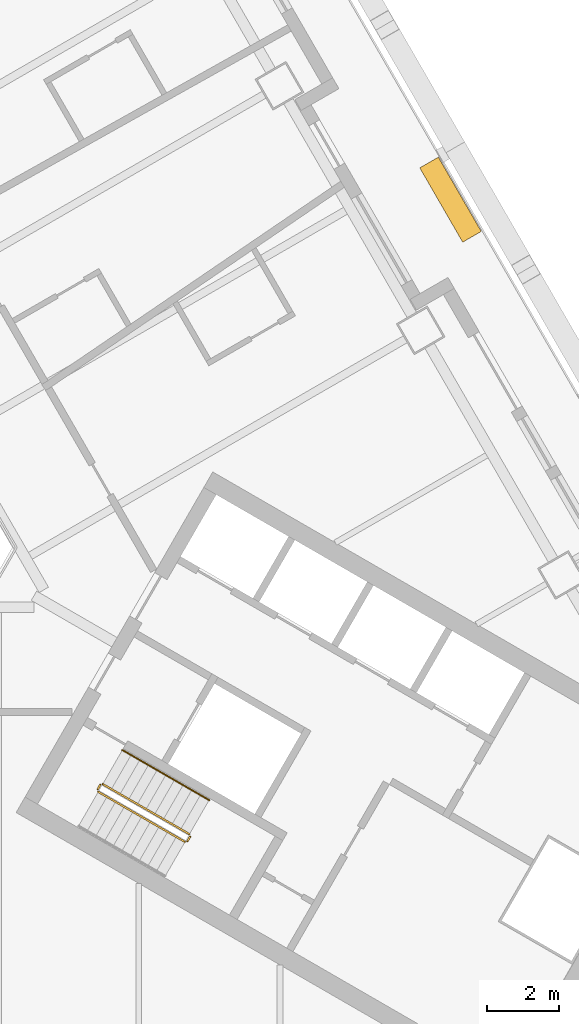
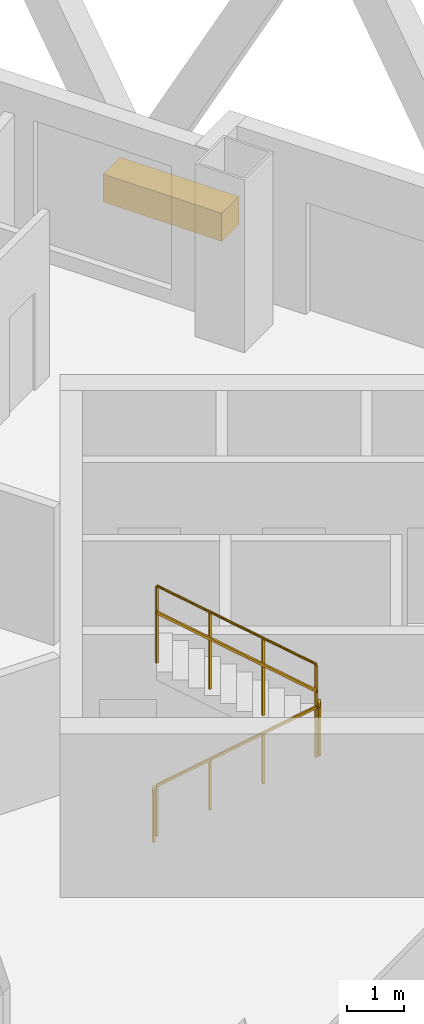
# One storey, part 12 of 14: 5 railings, 1 covering.
"""IFC4 building model written with IfcOpenShell, lengths in metres."""

import ifcopenshell
import ifcopenshell.guid

model = None  # the IFC model being written
_history = None  # IfcOwnerHistory: only IFC2X3 demands one
_inside = {}  # id of a spatial element -> (the spatial element, [elements in it])
_under = {}  # id of a project, library or spatial element -> (it, [spatial elements below it])
_declared = {}  # id of a project -> (the project, [libraries it declares])
_typed = {}  # id of a type object -> (the type object, [elements of that type])
_made_of = {}  # id of a material, layer set ... -> (it, [elements and type objects made of it])


def new_model(schema):
    """Start an empty IFC model of exactly this schema.

    Asked for "IFC4X3", IfcOpenShell would pick the latest addendum, in which some entities
    have other attributes; the version numbers below select the first issue.
    IFC2X3 requires an IfcOwnerHistory on every rooted entity: one is made here for all.
    """
    global model, _history
    if schema == "IFC4X3":
        model = ifcopenshell.file(schema_version=(4, 3, 0, 0))
    else:
        model = ifcopenshell.file(schema=schema)
    _inside.clear()
    _under.clear()
    _declared.clear()
    _typed.clear()
    _made_of.clear()
    _history = None
    if model.schema == "IFC2X3":
        org = make("IfcOrganization", Name="unknown")
        user = make(
            "IfcPersonAndOrganization",
            ThePerson=make("IfcPerson", FamilyName="unknown"),
            TheOrganization=org,
        )
        app = make(
            "IfcApplication",
            ApplicationDeveloper=org,
            Version="unknown",
            ApplicationFullName="unknown",
            ApplicationIdentifier="unknown",
        )
        _history = make(
            "IfcOwnerHistory",
            OwningUser=user,
            OwningApplication=app,
            ChangeAction="ADDED",
            CreationDate=0,
        )
    return model


def make(cls, **values):
    """One entity of the class cls with the attributes given. An attribute that is None is left unset."""
    return model.create_entity(
        cls, **{name: value for name, value in values.items() if value is not None}
    )


def rooted(cls, **values):
    """An entity with a GlobalId (a new one), such as an element, a storey or a relation."""
    return make(cls, GlobalId=ifcopenshell.guid.new(), OwnerHistory=_history, **values)


def si_unit(unit_type, name, prefix=None):
    """IfcSIUnit, for example si_unit("LENGTHUNIT", "METRE", prefix="MILLI")."""
    return make("IfcSIUnit", UnitType=unit_type, Prefix=prefix, Name=name)


def assignment(units):
    """IfcUnitAssignment: the units of a project."""
    return None if units is None else make("IfcUnitAssignment", Units=units)


def point(xyz):
    """IfcCartesianPoint."""
    return None if xyz is None else make("IfcCartesianPoint", Coordinates=xyz)


def direction(xyz):
    """IfcDirection."""
    return None if xyz is None else make("IfcDirection", DirectionRatios=xyz)


def frame(location, z_axis=None, x_axis=None):
    """IfcAxis2Placement3D, a coordinate frame: its origin and axes. An axis left out is left unset."""
    return make(
        "IfcAxis2Placement3D",
        Location=point(location),
        Axis=direction(z_axis),
        RefDirection=direction(x_axis),
    )


def frame_2d(location, x_axis=None):
    """IfcAxis2Placement2D, a coordinate frame in the plane: its origin and x axis."""
    return make(
        "IfcAxis2Placement2D", Location=point(location), RefDirection=direction(x_axis)
    )


def origin():
    """The frame at (0, 0, 0) with its axes left unset."""
    return frame((0.0, 0.0, 0.0))


def origin_2d():
    """The frame at (0, 0) in the plane with its x axis left unset."""
    return frame_2d((0.0, 0.0))


def place(relative_to, where):
    """IfcLocalPlacement: puts the frame where relative to a parent placement (None: the world)."""
    return make(
        "IfcLocalPlacement", PlacementRelTo=relative_to, RelativePlacement=where
    )


def context(
    kind, dimensions, precision=None, world=None, true_north=None, identifier=None
):
    """IfcGeometricRepresentationContext, for example the 3D "Model" context."""
    return make(
        "IfcGeometricRepresentationContext",
        ContextIdentifier=identifier,
        ContextType=kind,
        CoordinateSpaceDimension=dimensions,
        Precision=precision,
        WorldCoordinateSystem=world,
        TrueNorth=true_north,
    )


def subcontext(parent, identifier, kind, view, scale=None):
    """IfcGeometricRepresentationSubContext, for example "Body" below "Model"."""
    return make(
        "IfcGeometricRepresentationSubContext",
        ContextIdentifier=identifier,
        ContextType=kind,
        ParentContext=parent,
        TargetScale=scale,
        TargetView=view,
    )


def project(units=None, contexts=None):
    """IfcProject with its units and contexts."""
    return rooted(
        "IfcProject",
        Name="project",
        RepresentationContexts=contexts,
        UnitsInContext=assignment(units),
    )


def spatial(cls, under=None, at=None, **own):
    """A site, building, storey or space (cls), placed at a placement, below another one or the project."""
    s = rooted(cls, ObjectPlacement=at, **own)
    if under is not None:
        _under.setdefault(under.id(), (under, []))[1].append(s)
    return s


def profile(cls, at=None, kind="AREA", **sizes):
    """A parametric profile (cls). Its sizes go by their IFC names, for example OverallWidth=200.0."""
    return make(cls, ProfileType=kind, Position=at, **sizes)


def rectangle(**sizes):
    """IfcRectangleProfileDef."""
    return profile("IfcRectangleProfileDef", **sizes)


def circle(**sizes):
    """IfcCircleProfileDef."""
    return profile("IfcCircleProfileDef", **sizes)


def extrude(swept, where, along, depth):
    """IfcExtrudedAreaSolid: the profile swept, set in the frame where, extruded along a direction by depth."""
    return make(
        "IfcExtrudedAreaSolid",
        SweptArea=swept,
        Position=where,
        ExtrudedDirection=direction(along),
        Depth=depth,
    )


def shape(context_of_items, identifier, shape_type, items):
    """IfcShapeRepresentation: the items that make up one representation, for example the "Body"."""
    return make(
        "IfcShapeRepresentation",
        ContextOfItems=context_of_items,
        RepresentationIdentifier=identifier,
        RepresentationType=shape_type,
        Items=items,
    )


def material(Name=None, Category=None):
    """IfcMaterial."""
    return make("IfcMaterial", Name=Name, Category=Category)


def made_of(thing, what):
    """Note that an element or type object is made of a material, layer set ...; save() writes the relation."""
    if what is not None:
        _made_of.setdefault(what.id(), (what, []))[1].append(thing)
    return thing


def type_object(cls, material=None, **own):
    """A type object (cls), such as IfcWallType, which elements share."""
    return made_of(rooted(cls, **own), material)


def element(
    cls,
    number,
    at=None,
    inside=None,
    cuts=None,
    type_object=None,
    material=None,
    context=None,
    identifier="Body",
    shape_type=None,
    held_by="IfcProductDefinitionShape",
    body=None,
    shapes=None,
    **own,
):
    """One element of the class cls, such as IfcWall. Its Tag is "e" and its number.

    at: its placement. inside: the storey or other place that contains it. cuts: it is an
    opening in that element (IfcRelVoidsElement). A single representation is given by context,
    identifier, shape_type and body (its items); several are given by shapes. held_by: the class
    of the entity that holds the representations. save() writes the other relations.
    """
    e = rooted(cls, Tag="e%d" % number, ObjectPlacement=at, **own)
    if body is not None:
        shapes = [shape(context, identifier, shape_type, body)]
    if shapes is not None:
        e.Representation = make(held_by, Representations=shapes)
    if inside is not None:
        _inside.setdefault(inside.id(), (inside, []))[1].append(e)
    if cuts is not None:
        rooted(
            "IfcRelVoidsElement", RelatingBuildingElement=cuts, RelatedOpeningElement=e
        )
    if type_object is not None:
        _typed.setdefault(type_object.id(), (type_object, []))[1].append(e)
    return made_of(e, material)


def aggregate(whole, parts):
    """IfcRelAggregates: a whole, such as a stair, and the parts it consists of."""
    return rooted("IfcRelAggregates", RelatingObject=whole, RelatedObjects=parts)


def save(model, path):
    """Write the relations noted so far, then the file.

    IfcRelAggregates (storeys below a building ...), IfcRelContainedInSpatialStructure (elements
    in a storey), IfcRelDefinesByType, IfcRelAssociatesMaterial and IfcRelDeclares: one each for
    every whole, place, type object, material and project.
    """
    for whole, parts in _under.values():
        aggregate(whole, parts)
    for where, things in _inside.values():
        rooted(
            "IfcRelContainedInSpatialStructure",
            RelatedElements=things,
            RelatingStructure=where,
        )
    for kind, things in _typed.values():
        rooted("IfcRelDefinesByType", RelatedObjects=things, RelatingType=kind)
    for what, things in _made_of.values():
        rooted("IfcRelAssociatesMaterial", RelatedObjects=things, RelatingMaterial=what)
    for by, libraries in _declared.values():
        rooted("IfcRelDeclares", RelatingContext=by, RelatedDefinitions=libraries)
    model.write(path)


model = new_model("IFC4")

# Units and contexts
model_context = context("Model", 3, precision=1e-05, world=origin(), true_north=direction((0.0, 1.0)))
body_context = subcontext(model_context, "Body", "Model", "MODEL_VIEW")
ifc_project = project(units=[si_unit("LENGTHUNIT", "METRE"), si_unit("AREAUNIT", "SQUARE_METRE"), si_unit("VOLUMEUNIT", "CUBIC_METRE"), si_unit("PLANEANGLEUNIT", "RADIAN"), si_unit("MASSUNIT", "GRAM", prefix="KILO")], contexts=[model_context])

# Site, building, storey
site_placement = place(None, origin())
site = spatial("IfcSite", under=ifc_project, at=site_placement, CompositionType="ELEMENT")
building_placement = place(site_placement, origin())
building = spatial("IfcBuilding", under=site, at=building_placement, Name="Apuvela Tower Hotel", CompositionType="ELEMENT")
storey_placement = place(building_placement, frame((0.0, 0.0, 53.89990234375)))
storey = spatial("IfcBuildingStorey", under=building, at=storey_placement, Name="L10", CompositionType="ELEMENT", Elevation=53.89990234375)

# Railings
ifc_material_1 = material(Name="Steel S275 balustrade", Category="steel")
railing_type_1 = type_object("IfcRailingType", Name="COR-GUARD-1100", PredefinedType="GUARDRAIL", material=ifc_material_1)
railing_1_placement = place(storey_placement, frame((10.718994140625, -10.63427734375, 0.168212890625)))
element("IfcRailing", 1, at=railing_1_placement, inside=storey, type_object=railing_type_1, Name="L10 ST3 stair guard 1", PredefinedType="GUARDRAIL", context=body_context, shape_type="SweptSolid", body=[
    extrude(rectangle(XDim=0.048095703125, YDim=0.048095703125, at=origin_2d()), frame((0.0, 0.0, 1.076171875), z_axis=(0.742390482028, -0.42860119049, 0.514934356695), x_axis=(0.49998411664, 0.866034573852, 0.0)), (0.0, 0.0, 1.0), 3.26611328125),
    extrude(rectangle(XDim=0.0419921875, YDim=0.0419921875, at=origin_2d()), origin(), (0.0, 0.0, 1.0), 1.052001953125),
    extrude(rectangle(XDim=0.0419921875, YDim=0.0419921875, at=origin_2d()), frame((0.808349609375, -0.466552734375, 0.560546875)), (0.0, 0.0, 1.0), 1.052001953125),
    extrude(rectangle(XDim=0.0419921875, YDim=0.0419921875, at=origin_2d()), frame((1.616455078125, -0.933349609375, 1.121337890625)), (0.0, 0.0, 1.0), 1.052001953125),
    extrude(rectangle(XDim=0.0419921875, YDim=0.0419921875, at=origin_2d()), frame((2.4248046875, -1.39990234375, 1.681884765625)), (0.0, 0.0, 1.0), 1.052001953125),
])
railing_2_placement = place(storey_placement, frame((13.212158203125, -12.015869140625, 1.85009765625)))
element("IfcRailing", 2, at=railing_2_placement, inside=storey, type_object=railing_type_1, Name="L10 ST3 stair guard 2", PredefinedType="GUARDRAIL", context=body_context, shape_type="SweptSolid", body=[
    extrude(rectangle(XDim=0.048095703125, YDim=0.048095703125, at=origin_2d()), frame((0.0, 0.0, 1.076171875), z_axis=(0.499816412211, 0.866131372301, 0.0), x_axis=(-0.866131372301, 0.499816412211, 0.0)), (0.0, 0.0, 1.0), 0.14990234375),
    extrude(rectangle(XDim=0.0419921875, YDim=0.0419921875, at=origin_2d()), origin(), (0.0, 0.0, 1.0), 1.052001953125),
    extrude(rectangle(XDim=0.0419921875, YDim=0.0419921875, at=origin_2d()), frame((0.074951171875, 0.1298828125, 0.0)), (0.0, 0.0, 1.0), 1.052001953125),
])
railing_3_placement = place(storey_placement, frame((13.268798828125, -11.817626953125, 2.018310546875)))
element("IfcRailing", 3, at=railing_3_placement, inside=storey, type_object=railing_type_1, Name="L10 ST3 stair guard 3", PredefinedType="GUARDRAIL", context=body_context, shape_type="SweptSolid", body=[
    extrude(rectangle(XDim=0.048095703125, YDim=0.048095703125, at=origin_2d()), frame((0.0, 0.0, 1.076171875), z_axis=(-0.742390482028, 0.42860119049, 0.514934356695), x_axis=(-0.49998411664, -0.866034573852, 0.0)), (0.0, 0.0, 1.0), 3.26611328125),
    extrude(rectangle(XDim=0.0419921875, YDim=0.0419921875, at=origin_2d()), origin(), (0.0, 0.0, 1.0), 1.052001953125),
    extrude(rectangle(XDim=0.0419921875, YDim=0.0419921875, at=origin_2d()), frame((-0.808349609375, 0.466552734375, 0.560546875)), (0.0, 0.0, 1.0), 1.052001953125),
    extrude(rectangle(XDim=0.0419921875, YDim=0.0419921875, at=origin_2d()), frame((-1.616455078125, 0.933349609375, 1.121337890625)), (0.0, 0.0, 1.0), 1.052001953125),
    extrude(rectangle(XDim=0.0419921875, YDim=0.0419921875, at=origin_2d()), frame((-2.4248046875, 1.39990234375, 1.681884765625)), (0.0, 0.0, 1.0), 1.052001953125),
])
railing_4_placement = place(storey_placement, frame((10.70068359375, -10.56591796875, 0.0)))
element("IfcRailing", 4, at=railing_4_placement, inside=storey, type_object=railing_type_1, Name="L10 ST3 stair guard 4", PredefinedType="GUARDRAIL", context=body_context, shape_type="SweptSolid", body=[
    extrude(rectangle(XDim=0.048095703125, YDim=0.048095703125, at=origin_2d()), frame((0.0, 0.0, 1.076171875), z_axis=(0.499816412211, 0.866131372301, 0.0), x_axis=(-0.866131372301, 0.499816412211, 0.0)), (0.0, 0.0, 1.0), 0.14990234375),
    extrude(rectangle(XDim=0.0419921875, YDim=0.0419921875, at=origin_2d()), origin(), (0.0, 0.0, 1.0), 1.052001953125),
    extrude(rectangle(XDim=0.0419921875, YDim=0.0419921875, at=origin_2d()), frame((0.074951171875, 0.1298828125, 0.0)), (0.0, 0.0, 1.0), 1.052001953125),
])
ifc_material_2 = material(Name="Stainless steel 316 handrail", Category="steel")
railing_type_2 = type_object("IfcRailingType", Name="COR-HANDRAIL-900", PredefinedType="HANDRAIL", material=ifc_material_2)
railing_5_placement = place(storey_placement, frame((13.81884765625, -10.864990234375, 2.018310546875)))
element("IfcRailing", 5, at=railing_5_placement, inside=storey, type_object=railing_type_2, Name="L10 ST3 stair handrail 2", PredefinedType="HANDRAIL", context=body_context, shape_type="SweptSolid", body=[
    extrude(circle(Radius=0.02392578125, at=origin_2d()), frame((0.0, 0.0, 0.8759765625), z_axis=(-0.742390482028, 0.42860119049, 0.514934356695), x_axis=(-0.49998411664, -0.866034573852, 0.0)), (0.0, 0.0, 1.0), 3.26611328125),
    extrude(rectangle(XDim=0.0419921875, YDim=0.0419921875, at=origin_2d()), origin(), (0.0, 0.0, 1.0), 0.851806640625),
    extrude(rectangle(XDim=0.0419921875, YDim=0.0419921875, at=origin_2d()), frame((-0.808349609375, 0.466552734375, 0.560546875)), (0.0, 0.0, 1.0), 0.851806640625),
    extrude(rectangle(XDim=0.0419921875, YDim=0.0419921875, at=origin_2d()), frame((-1.616455078125, 0.933349609375, 1.121337890625)), (0.0, 0.0, 1.0), 0.851806640625),
    extrude(rectangle(XDim=0.0419921875, YDim=0.0419921875, at=origin_2d()), frame((-2.4248046875, 1.39990234375, 1.681884765625)), (0.0, 0.0, 1.0), 0.851806640625),
])

# Covering
ifc_material_3 = material(Name="Planting substrate and soil, planted")
covering_type = type_object("IfcCoveringType", Name="ENV-PLANTER-2400x600", PredefinedType="USERDEFINED", material=ifc_material_3)
covering_placement = place(storey_placement, frame((20.571044921875, 5.929931640625, 0.0), z_axis=(0.0, 0.0, 1.0), x_axis=(-0.5, 0.866025403784, 0.0)))
element("IfcCovering", 6, at=covering_placement, inside=storey, type_object=covering_type, Name="Planter NE3", ObjectType="PLANTER", PredefinedType="USERDEFINED", context=body_context, shape_type="SweptSolid", body=[
    extrude(rectangle(XDim=2.39990234375, YDim=0.60009765625, at=origin_2d()), origin(), (0.0, 0.0, 1.0), 0.60009765625),
])

save(model, "model.ifc")
